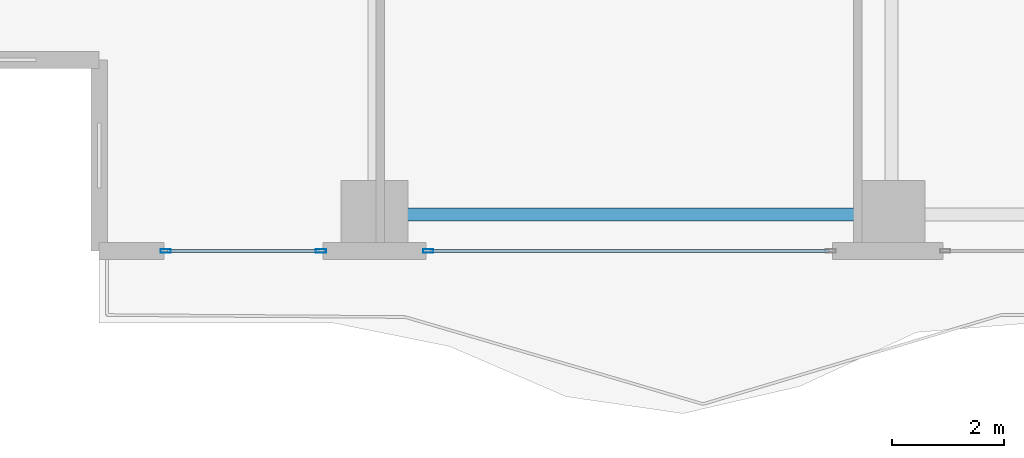
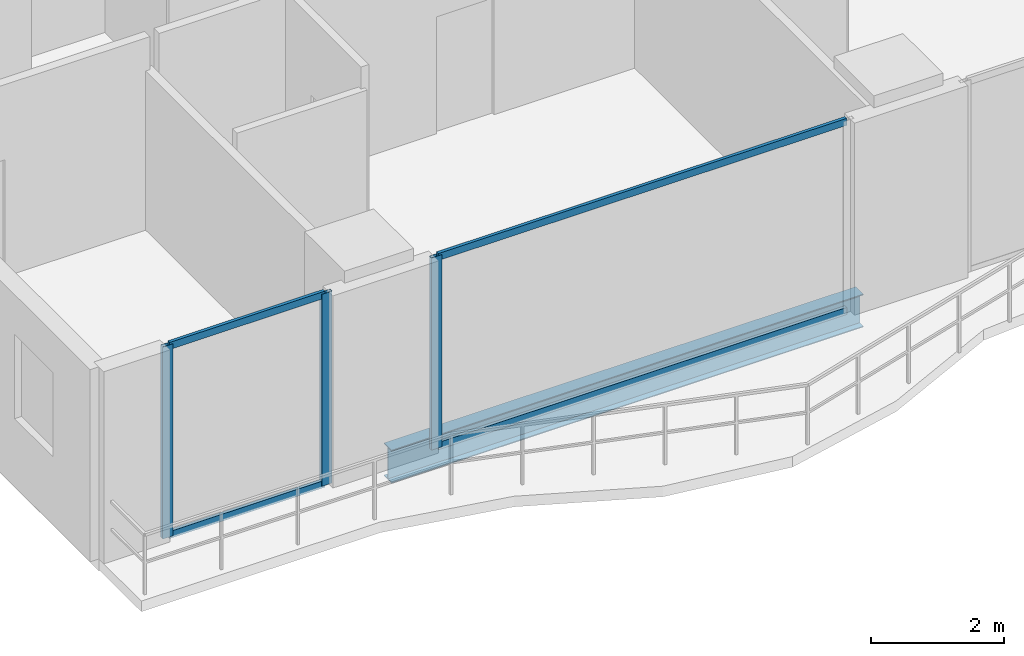
# One storey, part 2 of 32: 7 members, 1 beam, 2 elements without a shape of their own.
"""IFC4 building model written with IfcOpenShell, lengths in metres."""

import ifcopenshell
import ifcopenshell.guid

model = None  # the IFC model being written
_history = None  # IfcOwnerHistory: only IFC2X3 demands one
_inside = {}  # id of a spatial element -> (the spatial element, [elements in it])
_under = {}  # id of a project, library or spatial element -> (it, [spatial elements below it])
_declared = {}  # id of a project -> (the project, [libraries it declares])
_typed = {}  # id of a type object -> (the type object, [elements of that type])
_made_of = {}  # id of a material, layer set ... -> (it, [elements and type objects made of it])


def new_model(schema):
    """Start an empty IFC model of exactly this schema.

    Asked for "IFC4X3", IfcOpenShell would pick the latest addendum, in which some entities
    have other attributes; the version numbers below select the first issue.
    IFC2X3 requires an IfcOwnerHistory on every rooted entity: one is made here for all.
    """
    global model, _history
    if schema == "IFC4X3":
        model = ifcopenshell.file(schema_version=(4, 3, 0, 0))
    else:
        model = ifcopenshell.file(schema=schema)
    _inside.clear()
    _under.clear()
    _declared.clear()
    _typed.clear()
    _made_of.clear()
    _history = None
    if model.schema == "IFC2X3":
        org = make("IfcOrganization", Name="unknown")
        user = make(
            "IfcPersonAndOrganization",
            ThePerson=make("IfcPerson", FamilyName="unknown"),
            TheOrganization=org,
        )
        app = make(
            "IfcApplication",
            ApplicationDeveloper=org,
            Version="unknown",
            ApplicationFullName="unknown",
            ApplicationIdentifier="unknown",
        )
        _history = make(
            "IfcOwnerHistory",
            OwningUser=user,
            OwningApplication=app,
            ChangeAction="ADDED",
            CreationDate=0,
        )
    return model


def make(cls, **values):
    """One entity of the class cls with the attributes given. An attribute that is None is left unset."""
    return model.create_entity(
        cls, **{name: value for name, value in values.items() if value is not None}
    )


def rooted(cls, **values):
    """An entity with a GlobalId (a new one), such as an element, a storey or a relation."""
    return make(cls, GlobalId=ifcopenshell.guid.new(), OwnerHistory=_history, **values)


def si_unit(unit_type, name, prefix=None):
    """IfcSIUnit, for example si_unit("LENGTHUNIT", "METRE", prefix="MILLI")."""
    return make("IfcSIUnit", UnitType=unit_type, Prefix=prefix, Name=name)


def assignment(units):
    """IfcUnitAssignment: the units of a project."""
    return None if units is None else make("IfcUnitAssignment", Units=units)


def point(xyz):
    """IfcCartesianPoint."""
    return None if xyz is None else make("IfcCartesianPoint", Coordinates=xyz)


def direction(xyz):
    """IfcDirection."""
    return None if xyz is None else make("IfcDirection", DirectionRatios=xyz)


def frame(location, z_axis=None, x_axis=None):
    """IfcAxis2Placement3D, a coordinate frame: its origin and axes. An axis left out is left unset."""
    return make(
        "IfcAxis2Placement3D",
        Location=point(location),
        Axis=direction(z_axis),
        RefDirection=direction(x_axis),
    )


def frame_2d(location, x_axis=None):
    """IfcAxis2Placement2D, a coordinate frame in the plane: its origin and x axis."""
    return make(
        "IfcAxis2Placement2D", Location=point(location), RefDirection=direction(x_axis)
    )


def origin():
    """The frame at (0, 0, 0) with its axes left unset."""
    return frame((0.0, 0.0, 0.0))


def origin_2d():
    """The frame at (0, 0) in the plane with its x axis left unset."""
    return frame_2d((0.0, 0.0))


def place(relative_to, where):
    """IfcLocalPlacement: puts the frame where relative to a parent placement (None: the world)."""
    return make(
        "IfcLocalPlacement", PlacementRelTo=relative_to, RelativePlacement=where
    )


def context(
    kind, dimensions, precision=None, world=None, true_north=None, identifier=None
):
    """IfcGeometricRepresentationContext, for example the 3D "Model" context."""
    return make(
        "IfcGeometricRepresentationContext",
        ContextIdentifier=identifier,
        ContextType=kind,
        CoordinateSpaceDimension=dimensions,
        Precision=precision,
        WorldCoordinateSystem=world,
        TrueNorth=true_north,
    )


def subcontext(parent, identifier, kind, view, scale=None):
    """IfcGeometricRepresentationSubContext, for example "Body" below "Model"."""
    return make(
        "IfcGeometricRepresentationSubContext",
        ContextIdentifier=identifier,
        ContextType=kind,
        ParentContext=parent,
        TargetScale=scale,
        TargetView=view,
    )


def project(units=None, contexts=None):
    """IfcProject with its units and contexts."""
    return rooted(
        "IfcProject",
        Name="project",
        RepresentationContexts=contexts,
        UnitsInContext=assignment(units),
    )


def spatial(cls, under=None, at=None, **own):
    """A site, building, storey or space (cls), placed at a placement, below another one or the project."""
    s = rooted(cls, ObjectPlacement=at, **own)
    if under is not None:
        _under.setdefault(under.id(), (under, []))[1].append(s)
    return s


def profile(cls, at=None, kind="AREA", **sizes):
    """A parametric profile (cls). Its sizes go by their IFC names, for example OverallWidth=200.0."""
    return make(cls, ProfileType=kind, Position=at, **sizes)


def hollow_rectangle(**sizes):
    """IfcRectangleHollowProfileDef."""
    return profile("IfcRectangleHollowProfileDef", **sizes)


def i_section(**sizes):
    """IfcIShapeProfileDef."""
    return profile("IfcIShapeProfileDef", **sizes)


def extrude(swept, where, along, depth):
    """IfcExtrudedAreaSolid: the profile swept, set in the frame where, extruded along a direction by depth."""
    return make(
        "IfcExtrudedAreaSolid",
        SweptArea=swept,
        Position=where,
        ExtrudedDirection=direction(along),
        Depth=depth,
    )


def shape(context_of_items, identifier, shape_type, items):
    """IfcShapeRepresentation: the items that make up one representation, for example the "Body"."""
    return make(
        "IfcShapeRepresentation",
        ContextOfItems=context_of_items,
        RepresentationIdentifier=identifier,
        RepresentationType=shape_type,
        Items=items,
    )


def material(Name=None, Category=None):
    """IfcMaterial."""
    return make("IfcMaterial", Name=Name, Category=Category)


def layer(
    of_material, thickness, ventilated=None, Name=None, Category=None, Priority=None
):
    """IfcMaterialLayer: one layer of a wall or slab, of a material (None: an air gap)."""
    return make(
        "IfcMaterialLayer",
        Material=of_material,
        LayerThickness=thickness,
        IsVentilated=ventilated,
        Name=Name,
        Category=Category,
        Priority=Priority,
    )


def layer_set(layers, Name=None):
    """IfcMaterialLayerSet."""
    return make("IfcMaterialLayerSet", MaterialLayers=layers, LayerSetName=Name)


def material_profile(
    of_material, cross_section, Name=None, Category=None, Priority=None
):
    """IfcMaterialProfile: a cross section and its material."""
    return make(
        "IfcMaterialProfile",
        Name=Name,
        Material=of_material,
        Profile=cross_section,
        Priority=Priority,
        Category=Category,
    )


def profile_set(profiles, Name=None, composite=None):
    """IfcMaterialProfileSet."""
    return make(
        "IfcMaterialProfileSet",
        Name=Name,
        MaterialProfiles=profiles,
        CompositeProfile=composite,
    )


def made_of(thing, what):
    """Note that an element or type object is made of a material, layer set ...; save() writes the relation."""
    if what is not None:
        _made_of.setdefault(what.id(), (what, []))[1].append(thing)
    return thing


def type_object(cls, material=None, **own):
    """A type object (cls), such as IfcWallType, which elements share."""
    return made_of(rooted(cls, **own), material)


def element(
    cls,
    number,
    at=None,
    inside=None,
    cuts=None,
    type_object=None,
    material=None,
    context=None,
    identifier="Body",
    shape_type=None,
    held_by="IfcProductDefinitionShape",
    body=None,
    shapes=None,
    **own,
):
    """One element of the class cls, such as IfcWall. Its Tag is "e" and its number.

    at: its placement. inside: the storey or other place that contains it. cuts: it is an
    opening in that element (IfcRelVoidsElement). A single representation is given by context,
    identifier, shape_type and body (its items); several are given by shapes. held_by: the class
    of the entity that holds the representations. save() writes the other relations.
    """
    e = rooted(cls, Tag="e%d" % number, ObjectPlacement=at, **own)
    if body is not None:
        shapes = [shape(context, identifier, shape_type, body)]
    if shapes is not None:
        e.Representation = make(held_by, Representations=shapes)
    if inside is not None:
        _inside.setdefault(inside.id(), (inside, []))[1].append(e)
    if cuts is not None:
        rooted(
            "IfcRelVoidsElement", RelatingBuildingElement=cuts, RelatedOpeningElement=e
        )
    if type_object is not None:
        _typed.setdefault(type_object.id(), (type_object, []))[1].append(e)
    return made_of(e, material)


def aggregate(whole, parts):
    """IfcRelAggregates: a whole, such as a stair, and the parts it consists of."""
    return rooted("IfcRelAggregates", RelatingObject=whole, RelatedObjects=parts)


def save(model, path):
    """Write the relations noted so far, then the file.

    IfcRelAggregates (storeys below a building ...), IfcRelContainedInSpatialStructure (elements
    in a storey), IfcRelDefinesByType, IfcRelAssociatesMaterial and IfcRelDeclares: one each for
    every whole, place, type object, material and project.
    """
    for whole, parts in _under.values():
        aggregate(whole, parts)
    for where, things in _inside.values():
        rooted(
            "IfcRelContainedInSpatialStructure",
            RelatedElements=things,
            RelatingStructure=where,
        )
    for kind, things in _typed.values():
        rooted("IfcRelDefinesByType", RelatedObjects=things, RelatingType=kind)
    for what, things in _made_of.values():
        rooted("IfcRelAssociatesMaterial", RelatedObjects=things, RelatingMaterial=what)
    for by, libraries in _declared.values():
        rooted("IfcRelDeclares", RelatingContext=by, RelatedDefinitions=libraries)
    model.write(path)


model = new_model("IFC4")

# Units and contexts
model_context = context("Model", 3, precision=1e-05, world=origin(), true_north=direction((0.0, 1.0)))
body_context = subcontext(model_context, "Body", "Model", "MODEL_VIEW")
ifc_project = project(units=[si_unit("LENGTHUNIT", "METRE"), si_unit("AREAUNIT", "SQUARE_METRE"), si_unit("VOLUMEUNIT", "CUBIC_METRE"), si_unit("PLANEANGLEUNIT", "RADIAN"), si_unit("MASSUNIT", "GRAM", prefix="KILO")], contexts=[model_context])

# Site, building, storey
site_placement = place(None, origin())
site = spatial("IfcSite", under=ifc_project, at=site_placement, CompositionType="ELEMENT")
building_placement = place(site_placement, origin())
building = spatial("IfcBuilding", under=site, at=building_placement, Name="Zuhayl Quay Hotel", CompositionType="ELEMENT")
storey_placement = place(building_placement, frame((0.0, 0.0, 184.89990234375)))
storey = spatial("IfcBuildingStorey", under=building, at=storey_placement, Name="L46", CompositionType="ELEMENT", Elevation=184.89990234375)

# Beam
ifc_material_1 = material(Name="Steel ASTM A992 Grade 50", Category="steel")
ifc_material_profile_1 = material_profile(ifc_material_1, i_section(OverallWidth=0.22802734375, OverallDepth=0.60693359375, WebThickness=0.01123046875, FlangeThickness=0.017333984375, at=origin_2d()), Name="W24X76")
ifc_profile_set_1 = profile_set([ifc_material_profile_1], Name="Steel ASTM A992 Grade 50")
beam_type = type_object("IfcBeamType", Name="BM_B3_W24X76", PredefinedType="BEAM", material=ifc_profile_set_1)
beam_placement = place(storey_placement, frame((-13.300048828125, -6.949951171875, -0.5234375), z_axis=(1.0, 0.0, 0.0), x_axis=(0.0, 1.0, 0.0)))
element("IfcBeam", 1, at=beam_placement, inside=storey, type_object=beam_type, Name="L46 Floor Beam RG_L46_01", PredefinedType="BEAM", context=body_context, shape_type="SweptSolid", body=[
    extrude(i_section(OverallWidth=0.22802734375, OverallDepth=0.60693359375, WebThickness=0.01123046875, FlangeThickness=0.017333984375, at=origin_2d()), origin(), (0.0, 0.0, 1.0), 8.199951171875),
])

# Curtain wall, member
ifc_material_2 = material(Name="Anodised Aluminium 6063-T6", Category="aluminium")
ifc_layer = layer(ifc_material_2, 0.175048828125, Name="Anodised Aluminium 6063-T6", Category="aluminium")
ifc_layer_set = layer_set([ifc_layer], Name="Anodised Aluminium 6063-T6")
curtain_wall_type = type_object("IfcCurtainWallType", Name="CW_SYS_Z3", PredefinedType="USERDEFINED", material=ifc_layer_set)
curtain_wall_1_placement = place(storey_placement, origin())
curtain_wall_1 = element("IfcCurtainWall", 2, at=curtain_wall_1_placement, inside=storey, type_object=curtain_wall_type, Name="L46 Curtain Wall ENV_L46_S_CW5", ObjectType="UNITISED CURTAIN WALL", PredefinedType="USERDEFINED")
ifc_material_3 = material(Name="Black-anodised aluminium 6063-T6", Category="aluminium")
ifc_material_profile_2 = material_profile(ifc_material_3, hollow_rectangle(XDim=0.06494140625, YDim=0.179931640625, WallThickness=0.00341796875, at=origin_2d()), Name="ALU180X65")
ifc_profile_set_2 = profile_set([ifc_material_profile_2], Name="Black-anodised aluminium 6063-T6")
member_type_1 = type_object("IfcMemberType", Name="MB_CW_MUL_180", PredefinedType="MULLION", material=ifc_profile_set_2)
member_1_placement = place(storey_placement, frame((-12.847412109375, -7.60009765625, 0.0), z_axis=(0.0, 0.0, 1.0), x_axis=(0.0, -1.0, 0.0)))
member_1 = element("IfcMember", 3, at=member_1_placement, type_object=member_type_1, Name="CW-Z3 mullion 2", PredefinedType="MULLION", context=body_context, shape_type="SweptSolid", body=[
    extrude(hollow_rectangle(XDim=0.06494140625, YDim=0.179931640625, WallThickness=0.00341796875, at=origin_2d()), origin(), (0.0, 0.0, 1.0), 3.530029296875),
])

# Curtain wall, members
curtain_wall_2_placement = place(storey_placement, origin())
curtain_wall_2 = element("IfcCurtainWall", 4, at=curtain_wall_2_placement, inside=storey, type_object=curtain_wall_type, Name="L46 Curtain Wall ENV_L46_S_CW6", ObjectType="UNITISED CURTAIN WALL", PredefinedType="USERDEFINED")
member_2_placement = place(storey_placement, frame((-14.75244140625, -7.60009765625, 0.0), z_axis=(0.0, 0.0, 1.0), x_axis=(0.0, -1.0, 0.0)))
member_2 = element("IfcMember", 5, at=member_2_placement, type_object=member_type_1, Name="CW-Z3 mullion 1", PredefinedType="MULLION", context=body_context, shape_type="SweptSolid", body=[
    extrude(hollow_rectangle(XDim=0.06494140625, YDim=0.179931640625, WallThickness=0.00341796875, at=origin_2d()), origin(), (0.0, 0.0, 1.0), 3.530029296875),
])
member_3_placement = place(storey_placement, frame((-17.517578125, -7.60009765625, 0.0), z_axis=(0.0, 0.0, 1.0), x_axis=(0.0, -1.0, 0.0)))
member_3 = element("IfcMember", 6, at=member_3_placement, type_object=member_type_1, Name="CW-Z3 mullion 2", PredefinedType="MULLION", context=body_context, shape_type="SweptSolid", body=[
    extrude(hollow_rectangle(XDim=0.06494140625, YDim=0.179931640625, WallThickness=0.00341796875, at=origin_2d()), origin(), (0.0, 0.0, 1.0), 3.530029296875),
])

# Member
ifc_material_profile_3 = material_profile(ifc_material_3, hollow_rectangle(XDim=0.054931640625, YDim=0.1298828125, WallThickness=0.0029296875, at=origin_2d()), Name="ALU130X55")
ifc_profile_set_3 = profile_set([ifc_material_profile_3], Name="Black-anodised aluminium 6063-T6")
member_type_2 = type_object("IfcMemberType", Name="MB_CW_TRN_130", PredefinedType="USERDEFINED", material=ifc_profile_set_3)
member_4_placement = place(storey_placement, frame((-5.715087890625, -7.60009765625, 0.027587890625), z_axis=(-1.0, 0.0, 0.0), x_axis=(0.0, -1.0, 0.0)))
member_4 = element("IfcMember", 7, at=member_4_placement, type_object=member_type_2, Name="CW-Z3 transom 1.1", ObjectType="TRANSOM", PredefinedType="USERDEFINED", context=body_context, shape_type="SweptSolid", body=[
    extrude(hollow_rectangle(XDim=0.054931640625, YDim=0.1298828125, WallThickness=0.0029296875, at=origin_2d()), origin(), (0.0, 0.0, 1.0), 7.099853515625),
])

member_5_placement = place(storey_placement, frame((-5.715087890625, -7.60009765625, 3.502685546875), z_axis=(-1.0, 0.0, 0.0), x_axis=(0.0, -1.0, 0.0)))
member_5 = element("IfcMember", 8, at=member_5_placement, type_object=member_type_2, Name="CW-Z3 transom 1.2", ObjectType="TRANSOM", PredefinedType="USERDEFINED", context=body_context, shape_type="SweptSolid", body=[
    extrude(hollow_rectangle(XDim=0.054931640625, YDim=0.1298828125, WallThickness=0.0029296875, at=origin_2d()), origin(), (0.0, 0.0, 1.0), 7.099853515625),
])

aggregate(curtain_wall_1, [member_1, member_4, member_5])

member_6_placement = place(storey_placement, frame((-14.784912109375, -7.60009765625, 0.027587890625), z_axis=(-1.0, 0.0, 0.0), x_axis=(0.0, -1.0, 0.0)))
member_6 = element("IfcMember", 9, at=member_6_placement, type_object=member_type_2, Name="CW-Z3 transom 1.1", ObjectType="TRANSOM", PredefinedType="USERDEFINED", context=body_context, shape_type="SweptSolid", body=[
    extrude(hollow_rectangle(XDim=0.054931640625, YDim=0.1298828125, WallThickness=0.0029296875, at=origin_2d()), origin(), (0.0, 0.0, 1.0), 2.7001953125),
])

member_7_placement = place(storey_placement, frame((-14.784912109375, -7.60009765625, 3.502685546875), z_axis=(-1.0, 0.0, 0.0), x_axis=(0.0, -1.0, 0.0)))
member_7 = element("IfcMember", 10, at=member_7_placement, type_object=member_type_2, Name="CW-Z3 transom 1.2", ObjectType="TRANSOM", PredefinedType="USERDEFINED", context=body_context, shape_type="SweptSolid", body=[
    extrude(hollow_rectangle(XDim=0.054931640625, YDim=0.1298828125, WallThickness=0.0029296875, at=origin_2d()), origin(), (0.0, 0.0, 1.0), 2.7001953125),
])

aggregate(curtain_wall_2, [member_2, member_3, member_6, member_7])

save(model, "model.ifc")
